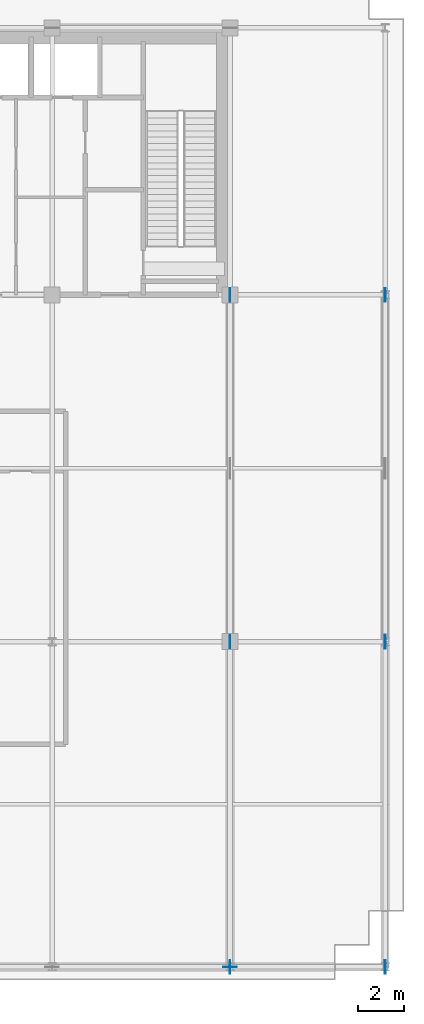
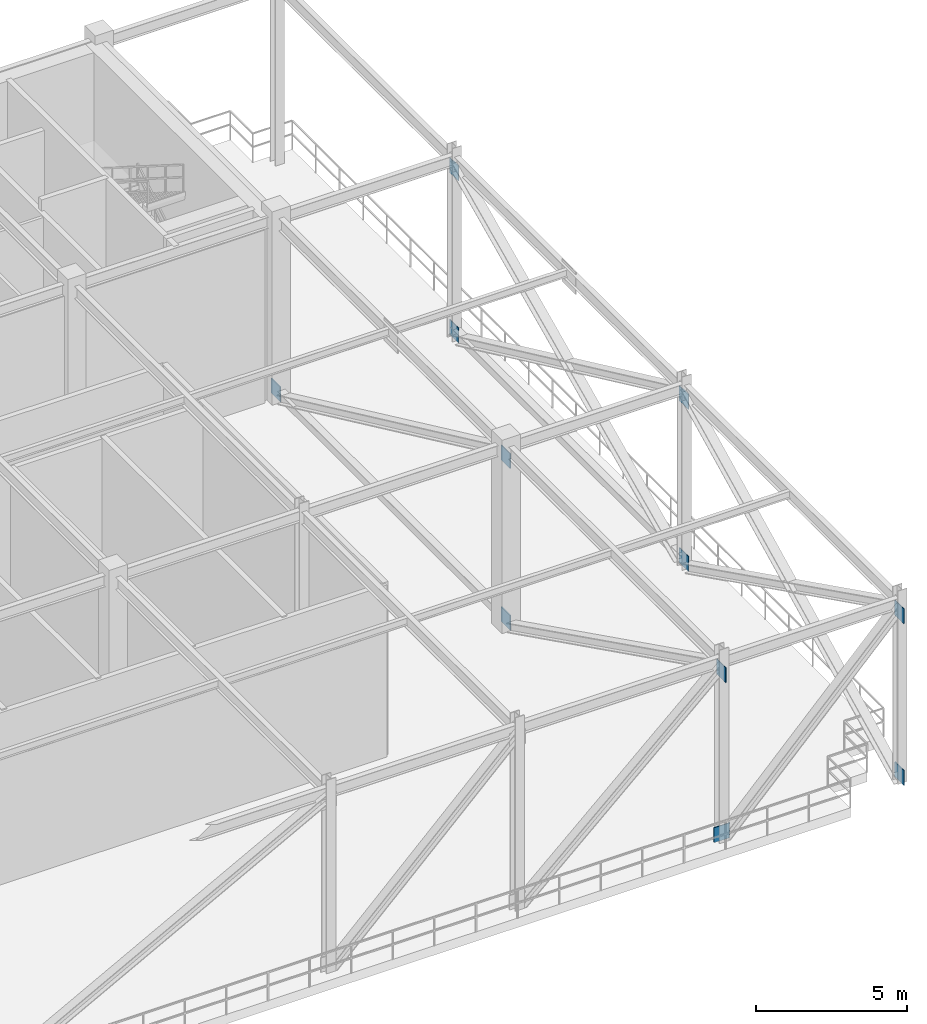
# One storey, part 8 of 15: 11 plates.
"""IFC4 building model written with IfcOpenShell, lengths in metres."""

from ifc_helpers import new_model, si_unit, direction, frame, origin, origin_2d, place, context, subcontext, project, spatial, rectangle, extrude, source, transform, mapped, material, layer, layer_set, type_object, element, save


model = new_model("IFC4")

# Units and contexts
model_context = context("Model", 3, precision=1e-05, world=origin(), true_north=direction((0.0, 1.0)))
body_context = subcontext(model_context, "Body", "Model", "MODEL_VIEW")
ifc_project = project(units=[si_unit("LENGTHUNIT", "METRE"), si_unit("AREAUNIT", "SQUARE_METRE"), si_unit("VOLUMEUNIT", "CUBIC_METRE"), si_unit("PLANEANGLEUNIT", "RADIAN"), si_unit("MASSUNIT", "GRAM", prefix="KILO")], contexts=[model_context])

# Site, building, storey
site_placement = place(None, origin())
site = spatial("IfcSite", under=ifc_project, at=site_placement, CompositionType="ELEMENT")
building_placement = place(site_placement, origin())
building = spatial("IfcBuilding", under=site, at=building_placement, Name="Trelvane Seafront Commons", CompositionType="ELEMENT")
storey_placement = place(building_placement, frame((0.0, 0.0, 240.89990234375)))
storey = spatial("IfcBuildingStorey", under=building, at=storey_placement, Name="L63", CompositionType="ELEMENT", Elevation=240.89990234375)

# Plates
ifc_material = material(Name="Steel SM355 (S355)", Category="steel")
ifc_layer = layer(ifc_material, 0.031982421875, Name="STR-PLT-GUS2")
ifc_layer_set = layer_set([ifc_layer], Name="Steel SM355 (S355)")
plate_type = type_object("IfcPlateType", Name="STR-PLT-GUS2", PredefinedType="SHEET", material=ifc_layer_set)
shared_shape_1 = source(origin(), body_context, "Body", "SweptSolid", [
    extrude(rectangle(XDim=0.031982421875, YDim=0.60009765625, at=origin_2d()), origin(), (0.0, 0.0, 1.0), 0.60009765625),
])
for number, where, z_axis, x_axis, name in (
    (1, (58.800048828125, 33.39990234375, -0.02001953125), (0.0, 0.0, 1.0), (1.0, 0.0, 0.0), "L63 Brace Connection Gusset Plate GP-077"),
    (2, (58.800048828125, 18.199951171875, 6.510009765625), (0.0, 0.0, 1.0), (1.0, 0.0, 0.0), "L63 Brace Connection Gusset Plate GP-078"),
    (3, (58.800048828125, 18.199951171875, -0.02001953125), (0.0, 0.0, 1.0), (1.0, 0.0, 0.0), "L63 Brace Connection Gusset Plate GP-079"),
    (4, (58.800048828125, 3.949951171875, 6.510009765625), (0.0, 0.0, 1.0), (1.0, 0.0, 0.0), "L63 Brace Connection Gusset Plate GP-080"),
    (5, (65.60009765625, 33.39990234375, -0.02001953125), (0.0, 0.0, 1.0), (1.0, 0.0, 0.0), "L63 Brace Connection Gusset Plate GP-081"),
    (6, (65.60009765625, 18.199951171875, 6.510009765625), (0.0, 0.0, 1.0), (1.0, 0.0, 0.0), "L63 Brace Connection Gusset Plate GP-082"),
    (7, (65.60009765625, 18.199951171875, -0.02001953125), (0.0, 0.0, 1.0), (1.0, 0.0, 0.0), "L63 Brace Connection Gusset Plate GP-083"),
    (8, (65.60009765625, 3.949951171875, 6.510009765625), (0.0, 0.0, 1.0), (1.0, 0.0, 0.0), "L63 Brace Connection Gusset Plate GP-084"),
    (9, (65.60009765625, 3.949951171875, -0.02001953125), (0.0, 0.0, 1.0), (1.0, 0.0, 0.0), "L63 Brace Connection Gusset Plate GP-101"),
    (10, (65.60009765625, 33.39990234375, 6.510009765625), (0.0, 0.0, 1.0), (1.0, 0.0, 0.0), "L63 Brace Connection Gusset Plate GP-102"),
):
    element("IfcPlate", number, at=place(storey_placement, frame(where, z_axis=z_axis, x_axis=x_axis)), inside=storey, type_object=plate_type, Name=name, PredefinedType="SHEET", context=body_context, shape_type="MappedRepresentation", body=[
        mapped(shared_shape_1, transform((0.0, 0.0, 0.0), x_axis=(1.0, 0.0, 0.0), y_axis=(0.0, 1.0, 0.0), z_axis=(0.0, 0.0, 1.0), scale=1.0)),
    ])
shared_shape_2 = source(origin(), body_context, "Body", "SweptSolid", [
    extrude(rectangle(XDim=0.60009765625, YDim=0.031982421875, at=origin_2d()), origin(), (0.0, 0.0, 1.0), 0.60009765625),
])
plate_placement = place(storey_placement, frame((58.800048828125, 3.949951171875, -0.02001953125), z_axis=(0.0, 0.0, 1.0), x_axis=(1.0, 0.0, 0.0)))
element("IfcPlate", 11, at=plate_placement, inside=storey, type_object=plate_type, Name="L63 Brace Connection Gusset Plate GP-099", PredefinedType="SHEET", context=body_context, shape_type="MappedRepresentation", body=[
    mapped(shared_shape_2, transform((0.0, 0.0, 0.0), x_axis=(1.0, 0.0, 0.0), y_axis=(0.0, 1.0, 0.0), z_axis=(0.0, 0.0, 1.0), scale=1.0)),
])

save(model, "model.ifc")
